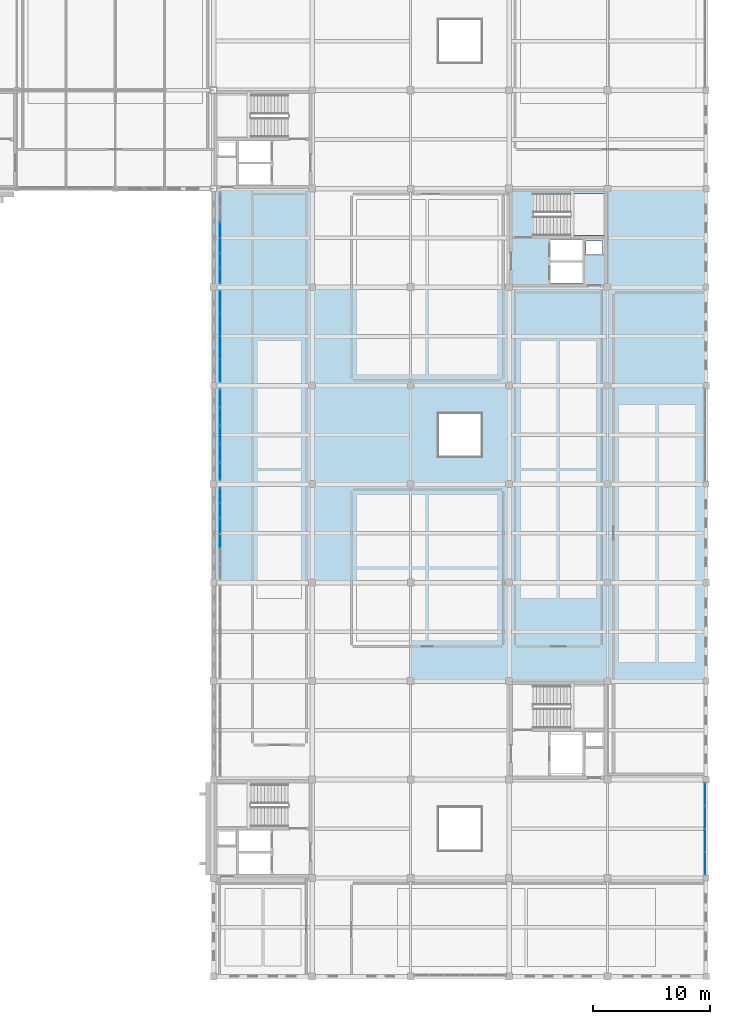
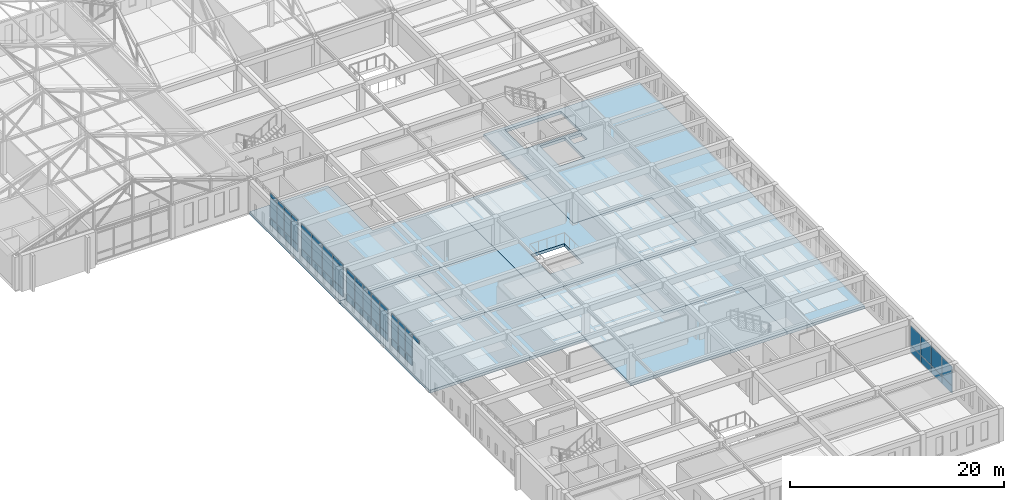
# One storey, part 30 of 56: 57 plates, 6 slabs, 5 elements without a shape of their own.
"""IFC4 building model written with IfcOpenShell, lengths in metres."""

from ifc_helpers import new_model, si_unit, direction, frame, origin, origin_2d, place, context, subcontext, project, spatial, polyline, rectangle, outline, extrude, material, layer, layer_set, type_object, element, aggregate, save


model = new_model("IFC4")

# Units and contexts
model_context = context("Model", 3, precision=1e-05, world=origin(), true_north=direction((0.0, 1.0)))
body_context = subcontext(model_context, "Body", "Model", "MODEL_VIEW")
ifc_project = project(units=[si_unit("LENGTHUNIT", "METRE"), si_unit("AREAUNIT", "SQUARE_METRE"), si_unit("VOLUMEUNIT", "CUBIC_METRE"), si_unit("PLANEANGLEUNIT", "RADIAN"), si_unit("MASSUNIT", "GRAM", prefix="KILO")], contexts=[model_context])

# Site, building, storey
site_placement = place(None, origin())
site = spatial("IfcSite", under=ifc_project, at=site_placement, CompositionType="ELEMENT")
building_placement = place(site_placement, origin())
building = spatial("IfcBuilding", under=site, at=building_placement, Name="Kveldsbrygga Polytechnic", CompositionType="ELEMENT")
storey_placement = place(building_placement, frame((0.0, 0.0, 18.02001953125)))
storey = spatial("IfcBuildingStorey", under=building, at=storey_placement, Name="L04", CompositionType="ELEMENT", Elevation=18.02001953125)

# Curtain wall, plates
ifc_material_1 = material(Name="Anodised aluminium AW-6060", Category="aluminium")
ifc_layer_1 = layer(ifc_material_1, 0.179931640625)
ifc_layer_set_1 = layer_set([ifc_layer_1], Name="Anodised aluminium AW-6060")
curtain_wall_type_1 = type_object("IfcCurtainWallType", Name="CW-LANC-D", PredefinedType="USERDEFINED", material=ifc_layer_set_1)
curtain_wall_1_placement = place(storey_placement, origin())
curtain_wall_1 = element("IfcCurtainWall", 1, at=curtain_wall_1_placement, inside=storey, type_object=curtain_wall_type_1, Name="Curtain Wall CW-L04-Y-15-07", ObjectType="UNITISED CURTAIN WALL", PredefinedType="USERDEFINED")
ifc_material_2 = material(Name="Insulated triple low-E glass", Category="glass")
ifc_layer_2 = layer(ifc_material_2, 0.035888671875)
ifc_layer_set_2 = layer_set([ifc_layer_2], Name="Insulated triple low-E glass")
plate_type_1 = type_object("IfcPlateType", Name="CW-PAN-VIS36", PredefinedType="CURTAIN_PANEL", material=ifc_layer_set_2)
plate_1_placement = place(storey_placement, frame((126.550048828125, 59.8876953125, 0.06005859375), z_axis=(0.0, 0.0, 1.0), x_axis=(0.0, 1.0, 0.0)))
plate_1 = element("IfcPlate", 2, at=plate_1_placement, type_object=plate_type_1, Name="CW-04 panel 1.1", PredefinedType="CURTAIN_PANEL", context=body_context, shape_type="SweptSolid", body=[
    extrude(rectangle(XDim=1.45556640625, YDim=0.035888671875, at=origin_2d()), origin(), (0.0, 0.0, 1.0), 0.81005859375),
])
plate_2_placement = place(storey_placement, frame((126.550048828125, 59.8876953125, 0.929931640625), z_axis=(0.0, 0.0, 1.0), x_axis=(0.0, 1.0, 0.0)))
plate_2 = element("IfcPlate", 3, at=plate_2_placement, type_object=plate_type_1, Name="CW-04 panel 1.2", PredefinedType="CURTAIN_PANEL", context=body_context, shape_type="SweptSolid", body=[
    extrude(rectangle(XDim=1.45556640625, YDim=0.035888671875, at=origin_2d()), origin(), (0.0, 0.0, 1.0), 2.27001953125),
])
plate_3_placement = place(storey_placement, frame((126.550048828125, 59.8876953125, 3.260009765625), z_axis=(0.0, 0.0, 1.0), x_axis=(0.0, 1.0, 0.0)))
plate_3 = element("IfcPlate", 4, at=plate_3_placement, type_object=plate_type_1, Name="CW-04 panel 1.3", PredefinedType="CURTAIN_PANEL", context=body_context, shape_type="SweptSolid", body=[
    extrude(rectangle(XDim=1.45556640625, YDim=0.035888671875, at=origin_2d()), origin(), (0.0, 0.0, 1.0), 0.4599609375),
])
plate_4_placement = place(storey_placement, frame((126.550048828125, 61.43701171875, 0.06005859375), z_axis=(0.0, 0.0, 1.0), x_axis=(0.0, 1.0, 0.0)))
plate_4 = element("IfcPlate", 5, at=plate_4_placement, type_object=plate_type_1, Name="CW-04 panel 2.1", PredefinedType="CURTAIN_PANEL", context=body_context, shape_type="SweptSolid", body=[
    extrude(rectangle(XDim=1.492919921875, YDim=0.035888671875, at=origin_2d()), origin(), (0.0, 0.0, 1.0), 0.81005859375),
])
plate_5_placement = place(storey_placement, frame((126.550048828125, 61.43701171875, 0.929931640625), z_axis=(0.0, 0.0, 1.0), x_axis=(0.0, 1.0, 0.0)))
plate_5 = element("IfcPlate", 6, at=plate_5_placement, type_object=plate_type_1, Name="CW-04 panel 2.2", PredefinedType="CURTAIN_PANEL", context=body_context, shape_type="SweptSolid", body=[
    extrude(rectangle(XDim=1.492919921875, YDim=0.035888671875, at=origin_2d()), origin(), (0.0, 0.0, 1.0), 2.27001953125),
])
plate_6_placement = place(storey_placement, frame((126.550048828125, 61.43701171875, 3.260009765625), z_axis=(0.0, 0.0, 1.0), x_axis=(0.0, 1.0, 0.0)))
plate_6 = element("IfcPlate", 7, at=plate_6_placement, type_object=plate_type_1, Name="CW-04 panel 2.3", PredefinedType="CURTAIN_PANEL", context=body_context, shape_type="SweptSolid", body=[
    extrude(rectangle(XDim=1.492919921875, YDim=0.035888671875, at=origin_2d()), origin(), (0.0, 0.0, 1.0), 0.4599609375),
])
plate_7_placement = place(storey_placement, frame((126.550048828125, 63.0048828125, 0.06005859375), z_axis=(0.0, 0.0, 1.0), x_axis=(0.0, 1.0, 0.0)))
plate_7 = element("IfcPlate", 8, at=plate_7_placement, type_object=plate_type_1, Name="CW-04 panel 3.1", PredefinedType="CURTAIN_PANEL", context=body_context, shape_type="SweptSolid", body=[
    extrude(rectangle(XDim=1.492919921875, YDim=0.035888671875, at=origin_2d()), origin(), (0.0, 0.0, 1.0), 0.81005859375),
])
plate_8_placement = place(storey_placement, frame((126.550048828125, 63.0048828125, 0.929931640625), z_axis=(0.0, 0.0, 1.0), x_axis=(0.0, 1.0, 0.0)))
plate_8 = element("IfcPlate", 9, at=plate_8_placement, type_object=plate_type_1, Name="CW-04 panel 3.2", PredefinedType="CURTAIN_PANEL", context=body_context, shape_type="SweptSolid", body=[
    extrude(rectangle(XDim=1.492919921875, YDim=0.035888671875, at=origin_2d()), origin(), (0.0, 0.0, 1.0), 2.27001953125),
])
plate_9_placement = place(storey_placement, frame((126.550048828125, 63.0048828125, 3.260009765625), z_axis=(0.0, 0.0, 1.0), x_axis=(0.0, 1.0, 0.0)))
plate_9 = element("IfcPlate", 10, at=plate_9_placement, type_object=plate_type_1, Name="CW-04 panel 3.3", PredefinedType="CURTAIN_PANEL", context=body_context, shape_type="SweptSolid", body=[
    extrude(rectangle(XDim=1.492919921875, YDim=0.035888671875, at=origin_2d()), origin(), (0.0, 0.0, 1.0), 0.4599609375),
])
plate_10_placement = place(storey_placement, frame((126.550048828125, 64.572998046875, 0.06005859375), z_axis=(0.0, 0.0, 1.0), x_axis=(0.0, 1.0, 0.0)))
plate_10 = element("IfcPlate", 11, at=plate_10_placement, type_object=plate_type_1, Name="CW-04 panel 4.1", PredefinedType="CURTAIN_PANEL", context=body_context, shape_type="SweptSolid", body=[
    extrude(rectangle(XDim=1.492919921875, YDim=0.035888671875, at=origin_2d()), origin(), (0.0, 0.0, 1.0), 0.81005859375),
])
plate_11_placement = place(storey_placement, frame((126.550048828125, 64.572998046875, 0.929931640625), z_axis=(0.0, 0.0, 1.0), x_axis=(0.0, 1.0, 0.0)))
plate_11 = element("IfcPlate", 12, at=plate_11_placement, type_object=plate_type_1, Name="CW-04 panel 4.2", PredefinedType="CURTAIN_PANEL", context=body_context, shape_type="SweptSolid", body=[
    extrude(rectangle(XDim=1.492919921875, YDim=0.035888671875, at=origin_2d()), origin(), (0.0, 0.0, 1.0), 2.27001953125),
])
plate_12_placement = place(storey_placement, frame((126.550048828125, 64.572998046875, 3.260009765625), z_axis=(0.0, 0.0, 1.0), x_axis=(0.0, 1.0, 0.0)))
plate_12 = element("IfcPlate", 13, at=plate_12_placement, type_object=plate_type_1, Name="CW-04 panel 4.3", PredefinedType="CURTAIN_PANEL", context=body_context, shape_type="SweptSolid", body=[
    extrude(rectangle(XDim=1.492919921875, YDim=0.035888671875, at=origin_2d()), origin(), (0.0, 0.0, 1.0), 0.4599609375),
])
plate_13_placement = place(storey_placement, frame((126.550048828125, 66.122314453125, 0.06005859375), z_axis=(0.0, 0.0, 1.0), x_axis=(0.0, 1.0, 0.0)))
plate_13 = element("IfcPlate", 14, at=plate_13_placement, type_object=plate_type_1, Name="CW-04 panel 5.1", PredefinedType="CURTAIN_PANEL", context=body_context, shape_type="SweptSolid", body=[
    extrude(rectangle(XDim=1.45556640625, YDim=0.035888671875, at=origin_2d()), origin(), (0.0, 0.0, 1.0), 0.81005859375),
])
plate_14_placement = place(storey_placement, frame((126.550048828125, 66.122314453125, 0.929931640625), z_axis=(0.0, 0.0, 1.0), x_axis=(0.0, 1.0, 0.0)))
plate_14 = element("IfcPlate", 15, at=plate_14_placement, type_object=plate_type_1, Name="CW-04 panel 5.2", PredefinedType="CURTAIN_PANEL", context=body_context, shape_type="SweptSolid", body=[
    extrude(rectangle(XDim=1.45556640625, YDim=0.035888671875, at=origin_2d()), origin(), (0.0, 0.0, 1.0), 2.27001953125),
])
plate_15_placement = place(storey_placement, frame((126.550048828125, 66.122314453125, 3.260009765625), z_axis=(0.0, 0.0, 1.0), x_axis=(0.0, 1.0, 0.0)))
plate_15 = element("IfcPlate", 16, at=plate_15_placement, type_object=plate_type_1, Name="CW-04 panel 5.3", PredefinedType="CURTAIN_PANEL", context=body_context, shape_type="SweptSolid", body=[
    extrude(rectangle(XDim=1.45556640625, YDim=0.035888671875, at=origin_2d()), origin(), (0.0, 0.0, 1.0), 0.4599609375),
])
aggregate(curtain_wall_1, [plate_1, plate_2, plate_3, plate_4, plate_5, plate_6, plate_7, plate_8, plate_9, plate_10, plate_11, plate_12, plate_13, plate_14, plate_15])

ifc_layer_3 = layer(ifc_material_1, 0.199951171875)
ifc_layer_set_3 = layer_set([ifc_layer_3], Name="Anodised aluminium AW-6060")
curtain_wall_type_2 = type_object("IfcCurtainWallType", Name="CW-LANC-E", PredefinedType="USERDEFINED", material=ifc_layer_set_3)
curtain_wall_2_placement = place(storey_placement, origin())
curtain_wall_2 = element("IfcCurtainWall", 17, at=curtain_wall_2_placement, inside=storey, type_object=curtain_wall_type_2, Name="Curtain Wall CW-L04-Y-15-08", ObjectType="UNITISED CURTAIN WALL", PredefinedType="USERDEFINED")
ifc_layer_4 = layer(ifc_material_2, 0.0419921875)
ifc_layer_set_4 = layer_set([ifc_layer_4], Name="Insulated triple low-E glass")
plate_type_2 = type_object("IfcPlateType", Name="CW-PAN-VIS42", PredefinedType="CURTAIN_PANEL", material=ifc_layer_set_4)
plate_16_placement = place(storey_placement, frame((126.550048828125, 68.469970703125, 0.06005859375), z_axis=(0.0, 0.0, 1.0), x_axis=(0.0, 1.0, 0.0)))
plate_16 = element("IfcPlate", 18, at=plate_16_placement, type_object=plate_type_2, Name="CW-05 panel 1.1", PredefinedType="CURTAIN_PANEL", context=body_context, shape_type="SweptSolid", body=[
    extrude(rectangle(XDim=1.8701171875, YDim=0.0419921875, at=origin_2d()), origin(), (0.0, 0.0, 1.0), 0.81005859375),
])
plate_17_placement = place(storey_placement, frame((126.550048828125, 68.469970703125, 0.929931640625), z_axis=(0.0, 0.0, 1.0), x_axis=(0.0, 1.0, 0.0)))
plate_17 = element("IfcPlate", 19, at=plate_17_placement, type_object=plate_type_2, Name="CW-05 panel 1.2", PredefinedType="CURTAIN_PANEL", context=body_context, shape_type="SweptSolid", body=[
    extrude(rectangle(XDim=1.8701171875, YDim=0.0419921875, at=origin_2d()), origin(), (0.0, 0.0, 1.0), 2.27001953125),
])
plate_18_placement = place(storey_placement, frame((126.550048828125, 68.469970703125, 3.260009765625), z_axis=(0.0, 0.0, 1.0), x_axis=(0.0, 1.0, 0.0)))
plate_18 = element("IfcPlate", 20, at=plate_18_placement, type_object=plate_type_2, Name="CW-05 panel 1.3", PredefinedType="CURTAIN_PANEL", context=body_context, shape_type="SweptSolid", body=[
    extrude(rectangle(XDim=1.8701171875, YDim=0.0419921875, at=origin_2d()), origin(), (0.0, 0.0, 1.0), 0.4599609375),
])
plate_19_placement = place(storey_placement, frame((126.550048828125, 70.4150390625, 0.06005859375), z_axis=(0.0, 0.0, 1.0), x_axis=(0.0, 1.0, 0.0)))
plate_19 = element("IfcPlate", 21, at=plate_19_placement, type_object=plate_type_2, Name="CW-05 panel 2.1", PredefinedType="CURTAIN_PANEL", context=body_context, shape_type="SweptSolid", body=[
    extrude(rectangle(XDim=1.89990234375, YDim=0.0419921875, at=origin_2d()), origin(), (0.0, 0.0, 1.0), 0.81005859375),
])
plate_20_placement = place(storey_placement, frame((126.550048828125, 70.4150390625, 0.929931640625), z_axis=(0.0, 0.0, 1.0), x_axis=(0.0, 1.0, 0.0)))
plate_20 = element("IfcPlate", 22, at=plate_20_placement, type_object=plate_type_2, Name="CW-05 panel 2.2", PredefinedType="CURTAIN_PANEL", context=body_context, shape_type="SweptSolid", body=[
    extrude(rectangle(XDim=1.89990234375, YDim=0.0419921875, at=origin_2d()), origin(), (0.0, 0.0, 1.0), 2.27001953125),
])
plate_21_placement = place(storey_placement, frame((126.550048828125, 70.4150390625, 3.260009765625), z_axis=(0.0, 0.0, 1.0), x_axis=(0.0, 1.0, 0.0)))
plate_21 = element("IfcPlate", 23, at=plate_21_placement, type_object=plate_type_2, Name="CW-05 panel 2.3", PredefinedType="CURTAIN_PANEL", context=body_context, shape_type="SweptSolid", body=[
    extrude(rectangle(XDim=1.89990234375, YDim=0.0419921875, at=origin_2d()), origin(), (0.0, 0.0, 1.0), 0.4599609375),
])
plate_22_placement = place(storey_placement, frame((126.550048828125, 72.375, 0.06005859375), z_axis=(0.0, 0.0, 1.0), x_axis=(0.0, 1.0, 0.0)))
plate_22 = element("IfcPlate", 24, at=plate_22_placement, type_object=plate_type_2, Name="CW-05 panel 3.1", PredefinedType="CURTAIN_PANEL", context=body_context, shape_type="SweptSolid", body=[
    extrude(rectangle(XDim=1.89990234375, YDim=0.0419921875, at=origin_2d()), origin(), (0.0, 0.0, 1.0), 0.81005859375),
])
plate_23_placement = place(storey_placement, frame((126.550048828125, 72.375, 0.929931640625), z_axis=(0.0, 0.0, 1.0), x_axis=(0.0, 1.0, 0.0)))
plate_23 = element("IfcPlate", 25, at=plate_23_placement, type_object=plate_type_2, Name="CW-05 panel 3.2", PredefinedType="CURTAIN_PANEL", context=body_context, shape_type="SweptSolid", body=[
    extrude(rectangle(XDim=1.89990234375, YDim=0.0419921875, at=origin_2d()), origin(), (0.0, 0.0, 1.0), 2.27001953125),
])
plate_24_placement = place(storey_placement, frame((126.550048828125, 72.375, 3.260009765625), z_axis=(0.0, 0.0, 1.0), x_axis=(0.0, 1.0, 0.0)))
plate_24 = element("IfcPlate", 26, at=plate_24_placement, type_object=plate_type_2, Name="CW-05 panel 3.3", PredefinedType="CURTAIN_PANEL", context=body_context, shape_type="SweptSolid", body=[
    extrude(rectangle(XDim=1.89990234375, YDim=0.0419921875, at=origin_2d()), origin(), (0.0, 0.0, 1.0), 0.4599609375),
])
plate_25_placement = place(storey_placement, frame((126.550048828125, 74.320068359375, 0.06005859375), z_axis=(0.0, 0.0, 1.0), x_axis=(0.0, 1.0, 0.0)))
plate_25 = element("IfcPlate", 27, at=plate_25_placement, type_object=plate_type_2, Name="CW-05 panel 4.1", PredefinedType="CURTAIN_PANEL", context=body_context, shape_type="SweptSolid", body=[
    extrude(rectangle(XDim=1.8701171875, YDim=0.0419921875, at=origin_2d()), origin(), (0.0, 0.0, 1.0), 0.81005859375),
])
plate_26_placement = place(storey_placement, frame((126.550048828125, 74.320068359375, 0.929931640625), z_axis=(0.0, 0.0, 1.0), x_axis=(0.0, 1.0, 0.0)))
plate_26 = element("IfcPlate", 28, at=plate_26_placement, type_object=plate_type_2, Name="CW-05 panel 4.2", PredefinedType="CURTAIN_PANEL", context=body_context, shape_type="SweptSolid", body=[
    extrude(rectangle(XDim=1.8701171875, YDim=0.0419921875, at=origin_2d()), origin(), (0.0, 0.0, 1.0), 2.27001953125),
])
plate_27_placement = place(storey_placement, frame((126.550048828125, 74.320068359375, 3.260009765625), z_axis=(0.0, 0.0, 1.0), x_axis=(0.0, 1.0, 0.0)))
plate_27 = element("IfcPlate", 29, at=plate_27_placement, type_object=plate_type_2, Name="CW-05 panel 4.3", PredefinedType="CURTAIN_PANEL", context=body_context, shape_type="SweptSolid", body=[
    extrude(rectangle(XDim=1.8701171875, YDim=0.0419921875, at=origin_2d()), origin(), (0.0, 0.0, 1.0), 0.4599609375),
])
aggregate(curtain_wall_2, [plate_16, plate_17, plate_18, plate_19, plate_20, plate_21, plate_22, plate_23, plate_24, plate_25, plate_26, plate_27])

curtain_wall_3_placement = place(storey_placement, origin())
curtain_wall_3 = element("IfcCurtainWall", 30, at=curtain_wall_3_placement, inside=storey, type_object=curtain_wall_type_2, Name="Curtain Wall CW-L04-Y-20-03", ObjectType="UNITISED CURTAIN WALL", PredefinedType="USERDEFINED")
plate_28_placement = place(storey_placement, frame((167.89990234375, 26.44677734375, 0.06005859375), z_axis=(0.0, 0.0, 1.0), x_axis=(0.0, 1.0, 0.0)))
plate_28 = element("IfcPlate", 31, at=plate_28_placement, type_object=plate_type_2, Name="CW-05 panel 1.1", PredefinedType="CURTAIN_PANEL", context=body_context, shape_type="SweptSolid", body=[
    extrude(rectangle(XDim=1.8837890625, YDim=0.0419921875, at=origin_2d()), origin(), (0.0, 0.0, 1.0), 0.81005859375),
])
plate_29_placement = place(storey_placement, frame((167.89990234375, 26.44677734375, 0.929931640625), z_axis=(0.0, 0.0, 1.0), x_axis=(0.0, 1.0, 0.0)))
plate_29 = element("IfcPlate", 32, at=plate_29_placement, type_object=plate_type_2, Name="CW-05 panel 1.2", PredefinedType="CURTAIN_PANEL", context=body_context, shape_type="SweptSolid", body=[
    extrude(rectangle(XDim=1.8837890625, YDim=0.0419921875, at=origin_2d()), origin(), (0.0, 0.0, 1.0), 2.18994140625),
])
plate_30_placement = place(storey_placement, frame((167.89990234375, 28.405517578125, 0.06005859375), z_axis=(0.0, 0.0, 1.0), x_axis=(0.0, 1.0, 0.0)))
plate_30 = element("IfcPlate", 33, at=plate_30_placement, type_object=plate_type_2, Name="CW-05 panel 2.1", PredefinedType="CURTAIN_PANEL", context=body_context, shape_type="SweptSolid", body=[
    extrude(rectangle(XDim=1.913818359375, YDim=0.0419921875, at=origin_2d()), origin(), (0.0, 0.0, 1.0), 0.81005859375),
])
plate_31_placement = place(storey_placement, frame((167.89990234375, 28.405517578125, 0.929931640625), z_axis=(0.0, 0.0, 1.0), x_axis=(0.0, 1.0, 0.0)))
plate_31 = element("IfcPlate", 34, at=plate_31_placement, type_object=plate_type_2, Name="CW-05 panel 2.2", PredefinedType="CURTAIN_PANEL", context=body_context, shape_type="SweptSolid", body=[
    extrude(rectangle(XDim=1.913818359375, YDim=0.0419921875, at=origin_2d()), origin(), (0.0, 0.0, 1.0), 2.18994140625),
])
plate_32_placement = place(storey_placement, frame((167.89990234375, 30.37939453125, 0.06005859375), z_axis=(0.0, 0.0, 1.0), x_axis=(0.0, 1.0, 0.0)))
plate_32 = element("IfcPlate", 35, at=plate_32_placement, type_object=plate_type_2, Name="CW-05 panel 3.1", PredefinedType="CURTAIN_PANEL", context=body_context, shape_type="SweptSolid", body=[
    extrude(rectangle(XDim=1.913818359375, YDim=0.0419921875, at=origin_2d()), origin(), (0.0, 0.0, 1.0), 0.81005859375),
])
plate_33_placement = place(storey_placement, frame((167.89990234375, 30.37939453125, 0.929931640625), z_axis=(0.0, 0.0, 1.0), x_axis=(0.0, 1.0, 0.0)))
plate_33 = element("IfcPlate", 36, at=plate_33_placement, type_object=plate_type_2, Name="CW-05 panel 3.2", PredefinedType="CURTAIN_PANEL", context=body_context, shape_type="SweptSolid", body=[
    extrude(rectangle(XDim=1.913818359375, YDim=0.0419921875, at=origin_2d()), origin(), (0.0, 0.0, 1.0), 2.18994140625),
])
plate_34_placement = place(storey_placement, frame((167.89990234375, 32.338134765625, 0.06005859375), z_axis=(0.0, 0.0, 1.0), x_axis=(0.0, 1.0, 0.0)))
plate_34 = element("IfcPlate", 37, at=plate_34_placement, type_object=plate_type_2, Name="CW-05 panel 4.1", PredefinedType="CURTAIN_PANEL", context=body_context, shape_type="SweptSolid", body=[
    extrude(rectangle(XDim=1.8837890625, YDim=0.0419921875, at=origin_2d()), origin(), (0.0, 0.0, 1.0), 0.81005859375),
])
plate_35_placement = place(storey_placement, frame((167.89990234375, 32.338134765625, 0.929931640625), z_axis=(0.0, 0.0, 1.0), x_axis=(0.0, 1.0, 0.0)))
plate_35 = element("IfcPlate", 38, at=plate_35_placement, type_object=plate_type_2, Name="CW-05 panel 4.2", PredefinedType="CURTAIN_PANEL", context=body_context, shape_type="SweptSolid", body=[
    extrude(rectangle(XDim=1.8837890625, YDim=0.0419921875, at=origin_2d()), origin(), (0.0, 0.0, 1.0), 2.18994140625),
])
aggregate(curtain_wall_3, [plate_28, plate_29, plate_30, plate_31, plate_32, plate_33, plate_34, plate_35])

ifc_layer_5 = layer(ifc_material_1, 0.159912109375)
ifc_layer_set_5 = layer_set([ifc_layer_5], Name="Anodised aluminium AW-6060")
curtain_wall_type_3 = type_object("IfcCurtainWallType", Name="CW-CLER-C", PredefinedType="USERDEFINED", material=ifc_layer_set_5)
curtain_wall_4_placement = place(storey_placement, origin())
curtain_wall_4 = element("IfcCurtainWall", 39, at=curtain_wall_4_placement, inside=storey, type_object=curtain_wall_type_3, Name="Curtain Wall CW-L04-Y-15-06", ObjectType="STICK CURTAIN WALL", PredefinedType="USERDEFINED")
ifc_layer_6 = layer(ifc_material_2, 0.048095703125)
ifc_layer_set_6 = layer_set([ifc_layer_6], Name="Insulated triple low-E glass")
plate_type_3 = type_object("IfcPlateType", Name="CW-PAN-VIS48", PredefinedType="CURTAIN_PANEL", material=ifc_layer_set_6)
plate_36_placement = place(storey_placement, frame((126.550048828125, 53.941650390625, 3.267578125), z_axis=(0.0, 0.0, 1.0), x_axis=(0.0, 1.0, 0.0)))
plate_36 = element("IfcPlate", 40, at=plate_36_placement, type_object=plate_type_3, Name="CW-03 panel 3.3", PredefinedType="CURTAIN_PANEL", context=body_context, shape_type="SweptSolid", body=[
    extrude(rectangle(XDim=1.231689453125, YDim=0.048095703125, at=origin_2d()), origin(), (0.0, 0.0, 1.0), 0.4375),
])
plate_37_placement = place(storey_placement, frame((126.550048828125, 55.248291015625, 0.074951171875), z_axis=(0.0, 0.0, 1.0), x_axis=(0.0, 1.0, 0.0)))
plate_37 = element("IfcPlate", 41, at=plate_37_placement, type_object=plate_type_3, Name="CW-03 panel 4.1", PredefinedType="CURTAIN_PANEL", context=body_context, shape_type="SweptSolid", body=[
    extrude(rectangle(XDim=1.231689453125, YDim=0.048095703125, at=origin_2d()), origin(), (0.0, 0.0, 1.0), 0.78759765625),
])
plate_38_placement = place(storey_placement, frame((126.550048828125, 55.248291015625, 0.9375), z_axis=(0.0, 0.0, 1.0), x_axis=(0.0, 1.0, 0.0)))
plate_38 = element("IfcPlate", 42, at=plate_38_placement, type_object=plate_type_3, Name="CW-03 panel 4.2", PredefinedType="CURTAIN_PANEL", context=body_context, shape_type="SweptSolid", body=[
    extrude(rectangle(XDim=1.231689453125, YDim=0.048095703125, at=origin_2d()), origin(), (0.0, 0.0, 1.0), 2.2548828125),
])
plate_39_placement = place(storey_placement, frame((126.550048828125, 55.248291015625, 3.267578125), z_axis=(0.0, 0.0, 1.0), x_axis=(0.0, 1.0, 0.0)))
plate_39 = element("IfcPlate", 43, at=plate_39_placement, type_object=plate_type_3, Name="CW-03 panel 4.3", PredefinedType="CURTAIN_PANEL", context=body_context, shape_type="SweptSolid", body=[
    extrude(rectangle(XDim=1.231689453125, YDim=0.048095703125, at=origin_2d()), origin(), (0.0, 0.0, 1.0), 0.4375),
])
plate_40_placement = place(storey_placement, frame((126.550048828125, 56.554931640625, 0.074951171875), z_axis=(0.0, 0.0, 1.0), x_axis=(0.0, 1.0, 0.0)))
plate_40 = element("IfcPlate", 44, at=plate_40_placement, type_object=plate_type_3, Name="CW-03 panel 5.1", PredefinedType="CURTAIN_PANEL", context=body_context, shape_type="SweptSolid", body=[
    extrude(rectangle(XDim=1.231689453125, YDim=0.048095703125, at=origin_2d()), origin(), (0.0, 0.0, 1.0), 0.78759765625),
])
plate_41_placement = place(storey_placement, frame((126.550048828125, 56.554931640625, 0.9375), z_axis=(0.0, 0.0, 1.0), x_axis=(0.0, 1.0, 0.0)))
plate_41 = element("IfcPlate", 45, at=plate_41_placement, type_object=plate_type_3, Name="CW-03 panel 5.2", PredefinedType="CURTAIN_PANEL", context=body_context, shape_type="SweptSolid", body=[
    extrude(rectangle(XDim=1.231689453125, YDim=0.048095703125, at=origin_2d()), origin(), (0.0, 0.0, 1.0), 2.2548828125),
])
plate_42_placement = place(storey_placement, frame((126.550048828125, 56.554931640625, 3.267578125), z_axis=(0.0, 0.0, 1.0), x_axis=(0.0, 1.0, 0.0)))
plate_42 = element("IfcPlate", 46, at=plate_42_placement, type_object=plate_type_3, Name="CW-03 panel 5.3", PredefinedType="CURTAIN_PANEL", context=body_context, shape_type="SweptSolid", body=[
    extrude(rectangle(XDim=1.231689453125, YDim=0.048095703125, at=origin_2d()), origin(), (0.0, 0.0, 1.0), 0.4375),
])
plate_43_placement = place(storey_placement, frame((126.550048828125, 57.843017578125, 0.074951171875), z_axis=(0.0, 0.0, 1.0), x_axis=(0.0, 1.0, 0.0)))
plate_43 = element("IfcPlate", 47, at=plate_43_placement, type_object=plate_type_3, Name="CW-03 panel 6.1", PredefinedType="CURTAIN_PANEL", context=body_context, shape_type="SweptSolid", body=[
    extrude(rectangle(XDim=1.194091796875, YDim=0.048095703125, at=origin_2d()), origin(), (0.0, 0.0, 1.0), 0.78759765625),
])
plate_44_placement = place(storey_placement, frame((126.550048828125, 57.843017578125, 0.9375), z_axis=(0.0, 0.0, 1.0), x_axis=(0.0, 1.0, 0.0)))
plate_44 = element("IfcPlate", 48, at=plate_44_placement, type_object=plate_type_3, Name="CW-03 panel 6.2", PredefinedType="CURTAIN_PANEL", context=body_context, shape_type="SweptSolid", body=[
    extrude(rectangle(XDim=1.194091796875, YDim=0.048095703125, at=origin_2d()), origin(), (0.0, 0.0, 1.0), 2.2548828125),
])
plate_45_placement = place(storey_placement, frame((126.550048828125, 57.843017578125, 3.267578125), z_axis=(0.0, 0.0, 1.0), x_axis=(0.0, 1.0, 0.0)))
plate_45 = element("IfcPlate", 49, at=plate_45_placement, type_object=plate_type_3, Name="CW-03 panel 6.3", PredefinedType="CURTAIN_PANEL", context=body_context, shape_type="SweptSolid", body=[
    extrude(rectangle(XDim=1.194091796875, YDim=0.048095703125, at=origin_2d()), origin(), (0.0, 0.0, 1.0), 0.4375),
])
aggregate(curtain_wall_4, [plate_36, plate_37, plate_38, plate_39, plate_40, plate_41, plate_42, plate_43, plate_44, plate_45])

ifc_layer_7 = layer(ifc_material_1, 0.169921875)
ifc_layer_set_7 = layer_set([ifc_layer_7], Name="Anodised aluminium AW-6060")
curtain_wall_type_4 = type_object("IfcCurtainWallType", Name="CW-FOYR-F", PredefinedType="USERDEFINED", material=ifc_layer_set_7)
curtain_wall_5_placement = place(storey_placement, origin())
curtain_wall_5 = element("IfcCurtainWall", 50, at=curtain_wall_5_placement, inside=storey, type_object=curtain_wall_type_4, Name="Curtain Wall CW-L04-Y-15-09", ObjectType="STICK CURTAIN WALL", PredefinedType="USERDEFINED")
plate_46_placement = place(storey_placement, frame((126.550048828125, 76.55322265625, 0.074951171875), z_axis=(0.0, 0.0, 1.0), x_axis=(0.0, 1.0, 0.0)))
plate_46 = element("IfcPlate", 51, at=plate_46_placement, type_object=plate_type_3, Name="CW-06 panel 1.1", PredefinedType="CURTAIN_PANEL", context=body_context, shape_type="SweptSolid", body=[
    extrude(rectangle(XDim=1.216552734375, YDim=0.048095703125, at=origin_2d()), origin(), (0.0, 0.0, 1.0), 0.78759765625),
])
plate_47_placement = place(storey_placement, frame((126.550048828125, 76.55322265625, 0.9375), z_axis=(0.0, 0.0, 1.0), x_axis=(0.0, 1.0, 0.0)))
plate_47 = element("IfcPlate", 52, at=plate_47_placement, type_object=plate_type_3, Name="CW-06 panel 1.2", PredefinedType="CURTAIN_PANEL", context=body_context, shape_type="SweptSolid", body=[
    extrude(rectangle(XDim=1.216552734375, YDim=0.048095703125, at=origin_2d()), origin(), (0.0, 0.0, 1.0), 2.2548828125),
])
plate_48_placement = place(storey_placement, frame((126.550048828125, 76.55322265625, 3.267578125), z_axis=(0.0, 0.0, 1.0), x_axis=(0.0, 1.0, 0.0)))
plate_48 = element("IfcPlate", 53, at=plate_48_placement, type_object=plate_type_3, Name="CW-06 panel 1.3", PredefinedType="CURTAIN_PANEL", context=body_context, shape_type="SweptSolid", body=[
    extrude(rectangle(XDim=1.216552734375, YDim=0.048095703125, at=origin_2d()), origin(), (0.0, 0.0, 1.0), 0.4375),
])
plate_49_placement = place(storey_placement, frame((126.550048828125, 77.844970703125, 0.074951171875), z_axis=(0.0, 0.0, 1.0), x_axis=(0.0, 1.0, 0.0)))
plate_49 = element("IfcPlate", 54, at=plate_49_placement, type_object=plate_type_3, Name="CW-06 panel 2.1", PredefinedType="CURTAIN_PANEL", context=body_context, shape_type="SweptSolid", body=[
    extrude(rectangle(XDim=1.24658203125, YDim=0.048095703125, at=origin_2d()), origin(), (0.0, 0.0, 1.0), 0.78759765625),
])
plate_50_placement = place(storey_placement, frame((126.550048828125, 77.844970703125, 0.9375), z_axis=(0.0, 0.0, 1.0), x_axis=(0.0, 1.0, 0.0)))
plate_50 = element("IfcPlate", 55, at=plate_50_placement, type_object=plate_type_3, Name="CW-06 panel 2.2", PredefinedType="CURTAIN_PANEL", context=body_context, shape_type="SweptSolid", body=[
    extrude(rectangle(XDim=1.24658203125, YDim=0.048095703125, at=origin_2d()), origin(), (0.0, 0.0, 1.0), 2.2548828125),
])
plate_51_placement = place(storey_placement, frame((126.550048828125, 77.844970703125, 3.267578125), z_axis=(0.0, 0.0, 1.0), x_axis=(0.0, 1.0, 0.0)))
plate_51 = element("IfcPlate", 56, at=plate_51_placement, type_object=plate_type_3, Name="CW-06 panel 2.3", PredefinedType="CURTAIN_PANEL", context=body_context, shape_type="SweptSolid", body=[
    extrude(rectangle(XDim=1.24658203125, YDim=0.048095703125, at=origin_2d()), origin(), (0.0, 0.0, 1.0), 0.4375),
])
plate_52_placement = place(storey_placement, frame((126.550048828125, 79.151611328125, 0.074951171875), z_axis=(0.0, 0.0, 1.0), x_axis=(0.0, 1.0, 0.0)))
plate_52 = element("IfcPlate", 57, at=plate_52_placement, type_object=plate_type_3, Name="CW-06 panel 3.1", PredefinedType="CURTAIN_PANEL", context=body_context, shape_type="SweptSolid", body=[
    extrude(rectangle(XDim=1.24658203125, YDim=0.048095703125, at=origin_2d()), origin(), (0.0, 0.0, 1.0), 0.78759765625),
])
plate_53_placement = place(storey_placement, frame((126.550048828125, 79.151611328125, 0.9375), z_axis=(0.0, 0.0, 1.0), x_axis=(0.0, 1.0, 0.0)))
plate_53 = element("IfcPlate", 58, at=plate_53_placement, type_object=plate_type_3, Name="CW-06 panel 3.2", PredefinedType="CURTAIN_PANEL", context=body_context, shape_type="SweptSolid", body=[
    extrude(rectangle(XDim=1.24658203125, YDim=0.048095703125, at=origin_2d()), origin(), (0.0, 0.0, 1.0), 2.2548828125),
])
plate_54_placement = place(storey_placement, frame((126.550048828125, 79.151611328125, 3.267578125), z_axis=(0.0, 0.0, 1.0), x_axis=(0.0, 1.0, 0.0)))
plate_54 = element("IfcPlate", 59, at=plate_54_placement, type_object=plate_type_3, Name="CW-06 panel 3.3", PredefinedType="CURTAIN_PANEL", context=body_context, shape_type="SweptSolid", body=[
    extrude(rectangle(XDim=1.24658203125, YDim=0.048095703125, at=origin_2d()), origin(), (0.0, 0.0, 1.0), 0.4375),
])
plate_55_placement = place(storey_placement, frame((126.550048828125, 80.458251953125, 0.074951171875), z_axis=(0.0, 0.0, 1.0), x_axis=(0.0, 1.0, 0.0)))
plate_55 = element("IfcPlate", 60, at=plate_55_placement, type_object=plate_type_3, Name="CW-06 panel 4.1", PredefinedType="CURTAIN_PANEL", context=body_context, shape_type="SweptSolid", body=[
    extrude(rectangle(XDim=1.24658203125, YDim=0.048095703125, at=origin_2d()), origin(), (0.0, 0.0, 1.0), 0.78759765625),
])
plate_56_placement = place(storey_placement, frame((126.550048828125, 80.458251953125, 0.9375), z_axis=(0.0, 0.0, 1.0), x_axis=(0.0, 1.0, 0.0)))
plate_56 = element("IfcPlate", 61, at=plate_56_placement, type_object=plate_type_3, Name="CW-06 panel 4.2", PredefinedType="CURTAIN_PANEL", context=body_context, shape_type="SweptSolid", body=[
    extrude(rectangle(XDim=1.24658203125, YDim=0.048095703125, at=origin_2d()), origin(), (0.0, 0.0, 1.0), 2.2548828125),
])
plate_57_placement = place(storey_placement, frame((126.550048828125, 80.458251953125, 3.267578125), z_axis=(0.0, 0.0, 1.0), x_axis=(0.0, 1.0, 0.0)))
plate_57 = element("IfcPlate", 62, at=plate_57_placement, type_object=plate_type_3, Name="CW-06 panel 4.3", PredefinedType="CURTAIN_PANEL", context=body_context, shape_type="SweptSolid", body=[
    extrude(rectangle(XDim=1.24658203125, YDim=0.048095703125, at=origin_2d()), origin(), (0.0, 0.0, 1.0), 0.4375),
])
aggregate(curtain_wall_5, [plate_46, plate_47, plate_48, plate_49, plate_50, plate_51, plate_52, plate_53, plate_54, plate_55, plate_56, plate_57])

# Slabs
ifc_material_3 = material(Name="Concrete C35/45", Category="concrete")
ifc_layer_8 = layer(ifc_material_3, 0.330078125)
ifc_layer_set_8 = layer_set([ifc_layer_8], Name="Concrete C35/45")
slab_type = type_object("IfcSlabType", Name="SLB-STACK-330", PredefinedType="FLOOR", material=ifc_layer_set_8)
slab_1_placement = place(storey_placement, frame((0.0, 0.0, -0.330078125)))
element("IfcSlab", 63, at=slab_1_placement, inside=storey, type_object=slab_type, Name="Slab SLB-L04-V4-L04-1", PredefinedType="FLOOR", context=body_context, shape_type="SweptSolid", body=[
    extrude(outline(polyline([(126.0, 50.39990234375), (126.0, 58.800048828125), (126.0, 67.199951171875), (134.39990234375, 67.199951171875), (134.39990234375, 58.800048828125), (142.800048828125, 58.800048828125), (142.800048828125, 50.39990234375), (134.39990234375, 50.39990234375), (126.0, 50.39990234375)])), origin(), (0.0, 0.0, 1.0), 0.330078125),
])
slab_2_placement = place(storey_placement, frame((0.0, 0.0, -0.330078125)))
element("IfcSlab", 64, at=slab_2_placement, inside=storey, type_object=slab_type, Name="Slab SLB-L04-V4-L05-1", PredefinedType="FLOOR", context=body_context, shape_type="SweptSolid", body=[
    extrude(outline(polyline([(126.0, 67.199951171875), (126.0, 75.60009765625), (126.0, 84.0), (134.39990234375, 84.0), (134.39990234375, 75.60009765625), (142.800048828125, 75.60009765625), (142.800048828125, 67.199951171875), (134.39990234375, 67.199951171875), (126.0, 67.199951171875)])), origin(), (0.0, 0.0, 1.0), 0.330078125),
])
slab_3_placement = place(storey_placement, frame((0.0, 0.0, -0.330078125)))
element("IfcSlab", 65, at=slab_3_placement, inside=storey, type_object=slab_type, Name="Slab SLB-L04-V4-L11-1", PredefinedType="FLOOR", context=body_context, shape_type="SweptSolid", body=[
    extrude(outline(polyline([(142.800048828125, 42.0), (142.800048828125, 50.39990234375), (142.800048828125, 58.800048828125), (151.199951171875, 58.800048828125), (151.199951171875, 50.39990234375), (159.60009765625, 50.39990234375), (159.60009765625, 42.0), (151.199951171875, 42.0), (142.800048828125, 42.0)])), origin(), (0.0, 0.0, 1.0), 0.330078125),
])
slab_4_placement = place(storey_placement, frame((0.0, 0.0, -0.330078125)))
element("IfcSlab", 66, at=slab_4_placement, inside=storey, type_object=slab_type, Name="Slab SLB-L04-V4-L12-1", PredefinedType="FLOOR", context=body_context, shape_type="SweptSolid", body=[
    extrude(outline(polyline([(142.800048828125, 58.800048828125), (142.800048828125, 67.199951171875), (142.800048828125, 75.60009765625), (151.199951171875, 75.60009765625), (151.199951171875, 67.199951171875), (159.60009765625, 67.199951171875), (159.60009765625, 58.800048828125), (151.199951171875, 58.800048828125), (142.800048828125, 58.800048828125)]), holes=[polyline([(145.199951171875, 61.199951171875), (148.800048828125, 61.199951171875), (148.800048828125, 64.800048828125), (145.199951171875, 64.800048828125), (145.199951171875, 61.199951171875)])]), origin(), (0.0, 0.0, 1.0), 0.330078125),
])
slab_5_placement = place(storey_placement, frame((0.0, 0.0, -0.330078125)))
element("IfcSlab", 67, at=slab_5_placement, inside=storey, type_object=slab_type, Name="Slab SLB-L04-V4-Z6-2", PredefinedType="FLOOR", context=body_context, shape_type="SweptSolid", body=[
    extrude(outline(polyline([(151.199951171875, 50.39990234375), (151.199951171875, 58.800048828125), (159.60009765625, 58.800048828125), (159.60009765625, 67.199951171875), (151.199951171875, 67.199951171875), (151.199951171875, 75.60009765625), (151.199951171875, 84.0), (159.60009765625, 84.0), (168.0, 84.0), (168.0, 75.60009765625), (168.0, 67.199951171875), (168.0, 58.800048828125), (168.0, 50.39990234375), (168.0, 42.0), (159.60009765625, 42.0), (159.60009765625, 50.39990234375), (151.199951171875, 50.39990234375)]), holes=[polyline([(153.27490234375, 80.0), (159.300048828125, 80.0), (159.300048828125, 83.60009765625), (153.27490234375, 83.60009765625), (153.27490234375, 80.0)]), polyline([(154.75, 75.949951171875), (157.449951171875, 75.949951171875), (157.449951171875, 79.64990234375), (154.75, 79.64990234375), (154.75, 75.949951171875)]), polyline([(157.75, 78.449951171875), (159.14990234375, 78.449951171875), (159.14990234375, 79.550048828125), (157.75, 79.550048828125), (157.75, 78.449951171875)])]), origin(), (0.0, 0.0, 1.0), 0.330078125),
])
slab_6_placement = place(storey_placement, frame((0.0, 0.0, -0.330078125)))
element("IfcSlab", 68, at=slab_6_placement, inside=storey, type_object=slab_type, Name="Slab SLB-L04-V4-Z6-3", PredefinedType="FLOOR", context=body_context, shape_type="SweptSolid", body=[
    extrude(outline(polyline([(142.800048828125, 58.800048828125), (134.39990234375, 58.800048828125), (134.39990234375, 67.199951171875), (142.800048828125, 67.199951171875), (142.800048828125, 58.800048828125)])), origin(), (0.0, 0.0, 1.0), 0.330078125),
])

save(model, "model.ifc")
